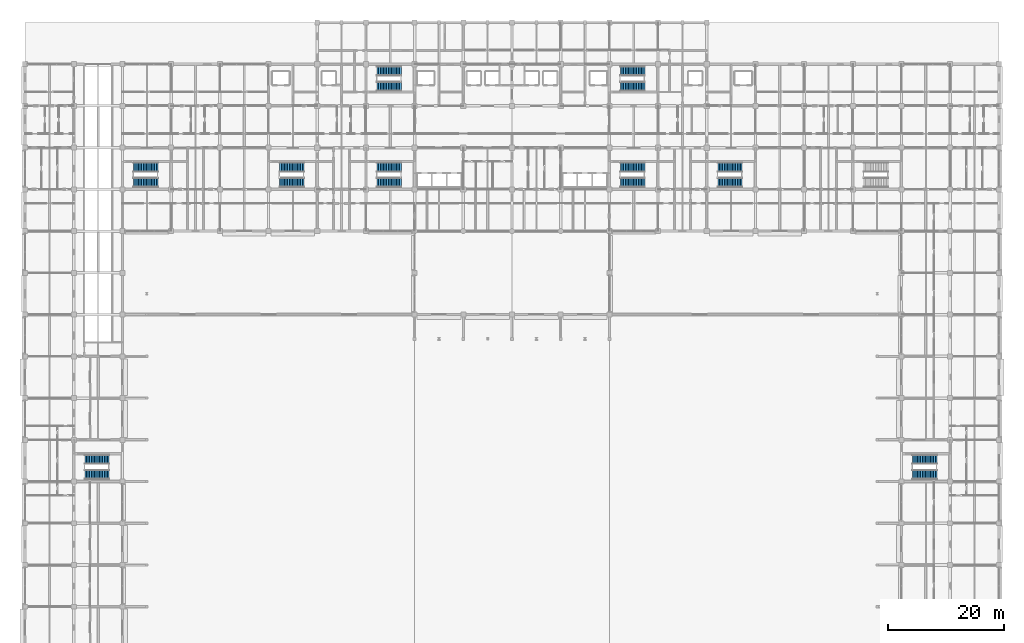
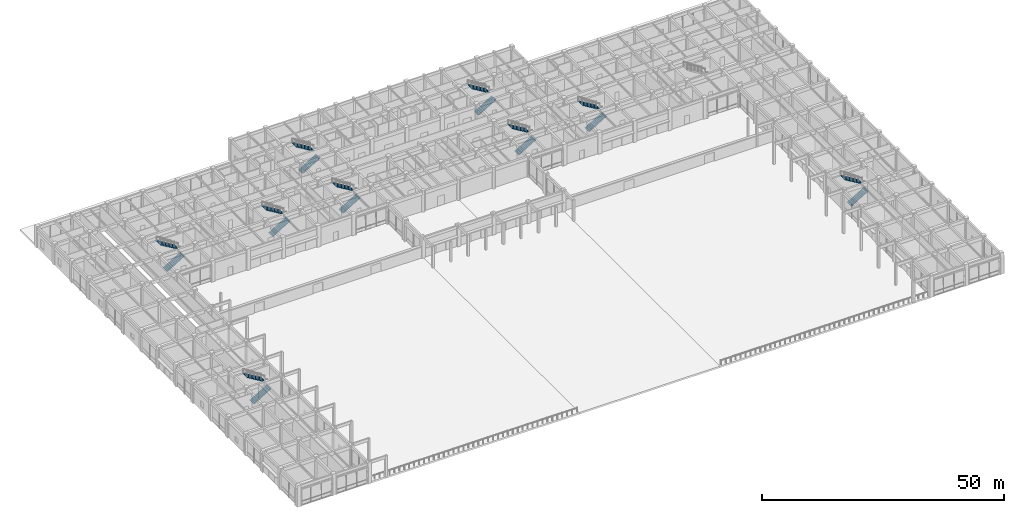
# One storey, part 60 of 73: 18 stair flights, 9 elements without a shape of their own.
"""IFC4 building model written with IfcOpenShell, lengths in metres."""

import ifcopenshell
import ifcopenshell.guid

model = None  # the IFC model being written
_history = None  # IfcOwnerHistory: only IFC2X3 demands one
_inside = {}  # id of a spatial element -> (the spatial element, [elements in it])
_under = {}  # id of a project, library or spatial element -> (it, [spatial elements below it])
_declared = {}  # id of a project -> (the project, [libraries it declares])
_typed = {}  # id of a type object -> (the type object, [elements of that type])
_made_of = {}  # id of a material, layer set ... -> (it, [elements and type objects made of it])


def new_model(schema):
    """Start an empty IFC model of exactly this schema.

    Asked for "IFC4X3", IfcOpenShell would pick the latest addendum, in which some entities
    have other attributes; the version numbers below select the first issue.
    IFC2X3 requires an IfcOwnerHistory on every rooted entity: one is made here for all.
    """
    global model, _history
    if schema == "IFC4X3":
        model = ifcopenshell.file(schema_version=(4, 3, 0, 0))
    else:
        model = ifcopenshell.file(schema=schema)
    _inside.clear()
    _under.clear()
    _declared.clear()
    _typed.clear()
    _made_of.clear()
    _history = None
    if model.schema == "IFC2X3":
        org = make("IfcOrganization", Name="unknown")
        user = make(
            "IfcPersonAndOrganization",
            ThePerson=make("IfcPerson", FamilyName="unknown"),
            TheOrganization=org,
        )
        app = make(
            "IfcApplication",
            ApplicationDeveloper=org,
            Version="unknown",
            ApplicationFullName="unknown",
            ApplicationIdentifier="unknown",
        )
        _history = make(
            "IfcOwnerHistory",
            OwningUser=user,
            OwningApplication=app,
            ChangeAction="ADDED",
            CreationDate=0,
        )
    return model


def make(cls, **values):
    """One entity of the class cls with the attributes given. An attribute that is None is left unset."""
    return model.create_entity(
        cls, **{name: value for name, value in values.items() if value is not None}
    )


def rooted(cls, **values):
    """An entity with a GlobalId (a new one), such as an element, a storey or a relation."""
    return make(cls, GlobalId=ifcopenshell.guid.new(), OwnerHistory=_history, **values)


def si_unit(unit_type, name, prefix=None):
    """IfcSIUnit, for example si_unit("LENGTHUNIT", "METRE", prefix="MILLI")."""
    return make("IfcSIUnit", UnitType=unit_type, Prefix=prefix, Name=name)


def assignment(units):
    """IfcUnitAssignment: the units of a project."""
    return None if units is None else make("IfcUnitAssignment", Units=units)


def point(xyz):
    """IfcCartesianPoint."""
    return None if xyz is None else make("IfcCartesianPoint", Coordinates=xyz)


def direction(xyz):
    """IfcDirection."""
    return None if xyz is None else make("IfcDirection", DirectionRatios=xyz)


def frame(location, z_axis=None, x_axis=None):
    """IfcAxis2Placement3D, a coordinate frame: its origin and axes. An axis left out is left unset."""
    return make(
        "IfcAxis2Placement3D",
        Location=point(location),
        Axis=direction(z_axis),
        RefDirection=direction(x_axis),
    )


def origin():
    """The frame at (0, 0, 0) with its axes left unset."""
    return frame((0.0, 0.0, 0.0))


def place(relative_to, where):
    """IfcLocalPlacement: puts the frame where relative to a parent placement (None: the world)."""
    return make(
        "IfcLocalPlacement", PlacementRelTo=relative_to, RelativePlacement=where
    )


def context(
    kind, dimensions, precision=None, world=None, true_north=None, identifier=None
):
    """IfcGeometricRepresentationContext, for example the 3D "Model" context."""
    return make(
        "IfcGeometricRepresentationContext",
        ContextIdentifier=identifier,
        ContextType=kind,
        CoordinateSpaceDimension=dimensions,
        Precision=precision,
        WorldCoordinateSystem=world,
        TrueNorth=true_north,
    )


def subcontext(parent, identifier, kind, view, scale=None):
    """IfcGeometricRepresentationSubContext, for example "Body" below "Model"."""
    return make(
        "IfcGeometricRepresentationSubContext",
        ContextIdentifier=identifier,
        ContextType=kind,
        ParentContext=parent,
        TargetScale=scale,
        TargetView=view,
    )


def project(units=None, contexts=None):
    """IfcProject with its units and contexts."""
    return rooted(
        "IfcProject",
        Name="project",
        RepresentationContexts=contexts,
        UnitsInContext=assignment(units),
    )


def spatial(cls, under=None, at=None, **own):
    """A site, building, storey or space (cls), placed at a placement, below another one or the project."""
    s = rooted(cls, ObjectPlacement=at, **own)
    if under is not None:
        _under.setdefault(under.id(), (under, []))[1].append(s)
    return s


def polyline(points):
    """IfcPolyline through the points."""
    return make("IfcPolyline", Points=[point(p) for p in points])


def outline(outer, holes=None, kind="AREA"):
    """IfcArbitraryClosedProfileDef: a profile drawn as a closed curve; with holes, ...WithVoids."""
    if holes is None:
        return make("IfcArbitraryClosedProfileDef", ProfileType=kind, OuterCurve=outer)
    return make(
        "IfcArbitraryProfileDefWithVoids",
        ProfileType=kind,
        OuterCurve=outer,
        InnerCurves=holes,
    )


def extrude(swept, where, along, depth):
    """IfcExtrudedAreaSolid: the profile swept, set in the frame where, extruded along a direction by depth."""
    return make(
        "IfcExtrudedAreaSolid",
        SweptArea=swept,
        Position=where,
        ExtrudedDirection=direction(along),
        Depth=depth,
    )


def shape(context_of_items, identifier, shape_type, items):
    """IfcShapeRepresentation: the items that make up one representation, for example the "Body"."""
    return make(
        "IfcShapeRepresentation",
        ContextOfItems=context_of_items,
        RepresentationIdentifier=identifier,
        RepresentationType=shape_type,
        Items=items,
    )


def material(Name=None, Category=None):
    """IfcMaterial."""
    return make("IfcMaterial", Name=Name, Category=Category)


def made_of(thing, what):
    """Note that an element or type object is made of a material, layer set ...; save() writes the relation."""
    if what is not None:
        _made_of.setdefault(what.id(), (what, []))[1].append(thing)
    return thing


def type_object(cls, material=None, **own):
    """A type object (cls), such as IfcWallType, which elements share."""
    return made_of(rooted(cls, **own), material)


def element(
    cls,
    number,
    at=None,
    inside=None,
    cuts=None,
    type_object=None,
    material=None,
    context=None,
    identifier="Body",
    shape_type=None,
    held_by="IfcProductDefinitionShape",
    body=None,
    shapes=None,
    **own,
):
    """One element of the class cls, such as IfcWall. Its Tag is "e" and its number.

    at: its placement. inside: the storey or other place that contains it. cuts: it is an
    opening in that element (IfcRelVoidsElement). A single representation is given by context,
    identifier, shape_type and body (its items); several are given by shapes. held_by: the class
    of the entity that holds the representations. save() writes the other relations.
    """
    e = rooted(cls, Tag="e%d" % number, ObjectPlacement=at, **own)
    if body is not None:
        shapes = [shape(context, identifier, shape_type, body)]
    if shapes is not None:
        e.Representation = make(held_by, Representations=shapes)
    if inside is not None:
        _inside.setdefault(inside.id(), (inside, []))[1].append(e)
    if cuts is not None:
        rooted(
            "IfcRelVoidsElement", RelatingBuildingElement=cuts, RelatedOpeningElement=e
        )
    if type_object is not None:
        _typed.setdefault(type_object.id(), (type_object, []))[1].append(e)
    return made_of(e, material)


def aggregate(whole, parts):
    """IfcRelAggregates: a whole, such as a stair, and the parts it consists of."""
    return rooted("IfcRelAggregates", RelatingObject=whole, RelatedObjects=parts)


def save(model, path):
    """Write the relations noted so far, then the file.

    IfcRelAggregates (storeys below a building ...), IfcRelContainedInSpatialStructure (elements
    in a storey), IfcRelDefinesByType, IfcRelAssociatesMaterial and IfcRelDeclares: one each for
    every whole, place, type object, material and project.
    """
    for whole, parts in _under.values():
        aggregate(whole, parts)
    for where, things in _inside.values():
        rooted(
            "IfcRelContainedInSpatialStructure",
            RelatedElements=things,
            RelatingStructure=where,
        )
    for kind, things in _typed.values():
        rooted("IfcRelDefinesByType", RelatedObjects=things, RelatingType=kind)
    for what, things in _made_of.values():
        rooted("IfcRelAssociatesMaterial", RelatedObjects=things, RelatingMaterial=what)
    for by, libraries in _declared.values():
        rooted("IfcRelDeclares", RelatingContext=by, RelatedDefinitions=libraries)
    model.write(path)


model = new_model("IFC4")

# Units and contexts
model_context = context("Model", 3, precision=1e-05, world=origin(), true_north=direction((0.0, 1.0)))
body_context = subcontext(model_context, "Body", "Model", "MODEL_VIEW")
ifc_project = project(units=[si_unit("LENGTHUNIT", "METRE"), si_unit("AREAUNIT", "SQUARE_METRE"), si_unit("VOLUMEUNIT", "CUBIC_METRE"), si_unit("PLANEANGLEUNIT", "RADIAN"), si_unit("MASSUNIT", "GRAM", prefix="KILO")], contexts=[model_context])

# Site, building, storey
site_placement = place(None, origin())
site = spatial("IfcSite", under=ifc_project, at=site_placement, CompositionType="ELEMENT")
building_placement = place(site_placement, origin())
building = spatial("IfcBuilding", under=site, at=building_placement, Name="Chengyuan Square Courthouse", CompositionType="ELEMENT")
storey_placement = place(building_placement, origin())
storey = spatial("IfcBuildingStorey", under=building, at=storey_placement, Name="L01", CompositionType="ELEMENT", Elevation=0.0)

# Stair, stair flights
ifc_material = material(Name="Concrete C40", Category="concrete")
stair_type_1 = type_object("IfcStairType", Name="ST-TYPE-01", PredefinedType="HALF_TURN_STAIR", material=ifc_material)
stair_1_placement = place(storey_placement, origin())
stair_1 = element("IfcStair", 1, at=stair_1_placement, inside=storey, type_object=stair_type_1, Name="Smoke-Proof Exit Stair ST-1 (L01 to L02)", PredefinedType="HALF_TURN_STAIR")
stair_flight_type_1 = type_object("IfcStairFlightType", Name="STF-TYPE-01", PredefinedType="STRAIGHT", material=ifc_material)
stair_flight_1_placement = place(storey_placement, frame((60.7099609375, 104.175048828125, 0.0), z_axis=(0.0, 0.0, 1.0), x_axis=(1.0, 0.0, 0.0)))
stair_flight_1 = element("IfcStairFlight", 2, at=stair_flight_1_placement, type_object=stair_flight_type_1, Name="ST-1 flight 1", NumberOfRisers=16, NumberOfTreads=15, PredefinedType="STRAIGHT", RiserHeight=0.16875, TreadLength=0.28, context=body_context, shape_type="SweptSolid", body=[
    extrude(outline(polyline([(0.0, 0.0), (0.0, 0.168701171875), (0.280029296875, 0.168701171875), (0.280029296875, 0.33740234375), (0.56005859375, 0.33740234375), (0.56005859375, 0.50634765625), (0.840087890625, 0.50634765625), (0.840087890625, 0.675048828125), (1.1201171875, 0.675048828125), (1.1201171875, 0.84375), (1.39990234375, 0.84375), (1.39990234375, 1.012451171875), (1.679931640625, 1.012451171875), (1.679931640625, 1.18115234375), (1.9599609375, 1.18115234375), (1.9599609375, 1.35009765625), (2.239990234375, 1.35009765625), (2.239990234375, 1.518798828125), (2.52001953125, 1.518798828125), (2.52001953125, 1.6875), (2.800048828125, 1.6875), (2.800048828125, 1.856201171875), (3.080078125, 1.856201171875), (3.080078125, 2.02490234375), (3.360107421875, 2.02490234375), (3.360107421875, 2.19384765625), (3.639892578125, 2.19384765625), (3.639892578125, 2.362548828125), (3.919921875, 2.362548828125), (3.919921875, 2.53125), (4.199951171875, 2.53125), (4.199951171875, 2.699951171875), (4.199951171875, 2.356201171875), (0.29052734375, 0.0), (0.0, 0.0)])), frame((0.0, 0.824951171875, 0.0), z_axis=(0.0, -1.0, 0.0), x_axis=(1.0, 0.0, 0.0)), (0.0, 0.0, 1.0), 1.64990234375),
])
stair_flight_2_placement = place(storey_placement, frame((64.909912109375, 106.824951171875, 2.699951171875), z_axis=(0.0, 0.0, 1.0), x_axis=(-1.0, 0.0, 0.0)))
stair_flight_2 = element("IfcStairFlight", 3, at=stair_flight_2_placement, type_object=stair_flight_type_1, Name="ST-1 flight 2", NumberOfRisers=16, NumberOfTreads=15, PredefinedType="STRAIGHT", RiserHeight=0.16875, TreadLength=0.28, context=body_context, shape_type="SweptSolid", body=[
    extrude(outline(polyline([(0.0, 0.0), (0.0, 0.168701171875), (0.280029296875, 0.168701171875), (0.280029296875, 0.33740234375), (0.56005859375, 0.33740234375), (0.56005859375, 0.50634765625), (0.840087890625, 0.50634765625), (0.840087890625, 0.675048828125), (1.1201171875, 0.675048828125), (1.1201171875, 0.84375), (1.39990234375, 0.84375), (1.39990234375, 1.012451171875), (1.679931640625, 1.012451171875), (1.679931640625, 1.18115234375), (1.9599609375, 1.18115234375), (1.9599609375, 1.35009765625), (2.239990234375, 1.35009765625), (2.239990234375, 1.518798828125), (2.52001953125, 1.518798828125), (2.52001953125, 1.6875), (2.800048828125, 1.6875), (2.800048828125, 1.856201171875), (3.080078125, 1.856201171875), (3.080078125, 2.02490234375), (3.360107421875, 2.02490234375), (3.360107421875, 2.19384765625), (3.639892578125, 2.19384765625), (3.639892578125, 2.362548828125), (3.919921875, 2.362548828125), (3.919921875, 2.53125), (4.199951171875, 2.53125), (4.199951171875, 2.699951171875), (4.199951171875, 2.356201171875), (0.29052734375, 0.0), (0.0, 0.0)])), frame((0.0, 0.824951171875, 0.0), z_axis=(0.0, -1.0, 0.0), x_axis=(1.0, 0.0, 0.0)), (0.0, 0.0, 1.0), 1.64990234375),
])
aggregate(stair_1, [stair_flight_1, stair_flight_2])

stair_type_2 = type_object("IfcStairType", Name="ST-TYPE-02", PredefinedType="HALF_TURN_STAIR", material=ifc_material)
stair_2_placement = place(storey_placement, origin())
stair_2 = element("IfcStair", 4, at=stair_2_placement, inside=storey, type_object=stair_type_2, Name="Smoke-Proof Exit Stair ST-2 (L01 to L02)", PredefinedType="HALF_TURN_STAIR")
stair_flight_type_2 = type_object("IfcStairFlightType", Name="STF-TYPE-02", PredefinedType="STRAIGHT", material=ifc_material)
stair_flight_3_placement = place(storey_placement, frame((102.7099609375, 104.175048828125, 0.0), z_axis=(0.0, 0.0, 1.0), x_axis=(1.0, 0.0, 0.0)))
stair_flight_3 = element("IfcStairFlight", 5, at=stair_flight_3_placement, type_object=stair_flight_type_2, Name="ST-2 flight 1", NumberOfRisers=16, NumberOfTreads=15, PredefinedType="STRAIGHT", RiserHeight=0.16875, TreadLength=0.28, context=body_context, shape_type="SweptSolid", body=[
    extrude(outline(polyline([(0.0, 0.0), (0.0, 0.168701171875), (0.280029296875, 0.168701171875), (0.280029296875, 0.33740234375), (0.56005859375, 0.33740234375), (0.56005859375, 0.50634765625), (0.840087890625, 0.50634765625), (0.840087890625, 0.675048828125), (1.1201171875, 0.675048828125), (1.1201171875, 0.84375), (1.39990234375, 0.84375), (1.39990234375, 1.012451171875), (1.679931640625, 1.012451171875), (1.679931640625, 1.18115234375), (1.9599609375, 1.18115234375), (1.9599609375, 1.35009765625), (2.239990234375, 1.35009765625), (2.239990234375, 1.518798828125), (2.52001953125, 1.518798828125), (2.52001953125, 1.6875), (2.800048828125, 1.6875), (2.800048828125, 1.856201171875), (3.080078125, 1.856201171875), (3.080078125, 2.02490234375), (3.360107421875, 2.02490234375), (3.360107421875, 2.19384765625), (3.639892578125, 2.19384765625), (3.639892578125, 2.362548828125), (3.919921875, 2.362548828125), (3.919921875, 2.53125), (4.199951171875, 2.53125), (4.199951171875, 2.699951171875), (4.199951171875, 2.356201171875), (0.29052734375, 0.0), (0.0, 0.0)])), frame((0.0, 0.824951171875, 0.0), z_axis=(0.0, -1.0, 0.0), x_axis=(1.0, 0.0, 0.0)), (0.0, 0.0, 1.0), 1.64990234375),
])
stair_flight_4_placement = place(storey_placement, frame((106.909912109375, 106.824951171875, 2.699951171875), z_axis=(0.0, 0.0, 1.0), x_axis=(-1.0, 0.0, 0.0)))
stair_flight_4 = element("IfcStairFlight", 6, at=stair_flight_4_placement, type_object=stair_flight_type_2, Name="ST-2 flight 2", NumberOfRisers=16, NumberOfTreads=15, PredefinedType="STRAIGHT", RiserHeight=0.16875, TreadLength=0.28, context=body_context, shape_type="SweptSolid", body=[
    extrude(outline(polyline([(0.0, 0.0), (0.0, 0.168701171875), (0.280029296875, 0.168701171875), (0.280029296875, 0.33740234375), (0.56005859375, 0.33740234375), (0.56005859375, 0.50634765625), (0.840087890625, 0.50634765625), (0.840087890625, 0.675048828125), (1.1201171875, 0.675048828125), (1.1201171875, 0.84375), (1.39990234375, 0.84375), (1.39990234375, 1.012451171875), (1.679931640625, 1.012451171875), (1.679931640625, 1.18115234375), (1.9599609375, 1.18115234375), (1.9599609375, 1.35009765625), (2.239990234375, 1.35009765625), (2.239990234375, 1.518798828125), (2.52001953125, 1.518798828125), (2.52001953125, 1.6875), (2.800048828125, 1.6875), (2.800048828125, 1.856201171875), (3.080078125, 1.856201171875), (3.080078125, 2.02490234375), (3.360107421875, 2.02490234375), (3.360107421875, 2.19384765625), (3.639892578125, 2.19384765625), (3.639892578125, 2.362548828125), (3.919921875, 2.362548828125), (3.919921875, 2.53125), (4.199951171875, 2.53125), (4.199951171875, 2.699951171875), (4.199951171875, 2.356201171875), (0.29052734375, 0.0), (0.0, 0.0)])), frame((0.0, 0.824951171875, 0.0), z_axis=(0.0, -1.0, 0.0), x_axis=(1.0, 0.0, 0.0)), (0.0, 0.0, 1.0), 1.64990234375),
])
aggregate(stair_2, [stair_flight_3, stair_flight_4])

stair_type_3 = type_object("IfcStairType", Name="ST-TYPE-03", PredefinedType="HALF_TURN_STAIR", material=ifc_material)
stair_3_placement = place(storey_placement, origin())
stair_3 = element("IfcStair", 7, at=stair_3_placement, inside=storey, type_object=stair_type_3, Name="Smoke-Proof Exit Stair ST-3 (L01 to L02)", PredefinedType="HALF_TURN_STAIR")
stair_flight_type_3 = type_object("IfcStairFlightType", Name="STF-TYPE-03", PredefinedType="STRAIGHT", material=ifc_material)
stair_flight_5_placement = place(storey_placement, frame((60.7099609375, 87.574951171875, 0.0), z_axis=(0.0, 0.0, 1.0), x_axis=(1.0, 0.0, 0.0)))
stair_flight_5 = element("IfcStairFlight", 8, at=stair_flight_5_placement, type_object=stair_flight_type_3, Name="ST-3 flight 1", NumberOfRisers=16, NumberOfTreads=15, PredefinedType="STRAIGHT", RiserHeight=0.16875, TreadLength=0.28, context=body_context, shape_type="SweptSolid", body=[
    extrude(outline(polyline([(0.0, 0.0), (0.0, 0.168701171875), (0.280029296875, 0.168701171875), (0.280029296875, 0.33740234375), (0.56005859375, 0.33740234375), (0.56005859375, 0.50634765625), (0.840087890625, 0.50634765625), (0.840087890625, 0.675048828125), (1.1201171875, 0.675048828125), (1.1201171875, 0.84375), (1.39990234375, 0.84375), (1.39990234375, 1.012451171875), (1.679931640625, 1.012451171875), (1.679931640625, 1.18115234375), (1.9599609375, 1.18115234375), (1.9599609375, 1.35009765625), (2.239990234375, 1.35009765625), (2.239990234375, 1.518798828125), (2.52001953125, 1.518798828125), (2.52001953125, 1.6875), (2.800048828125, 1.6875), (2.800048828125, 1.856201171875), (3.080078125, 1.856201171875), (3.080078125, 2.02490234375), (3.360107421875, 2.02490234375), (3.360107421875, 2.19384765625), (3.639892578125, 2.19384765625), (3.639892578125, 2.362548828125), (3.919921875, 2.362548828125), (3.919921875, 2.53125), (4.199951171875, 2.53125), (4.199951171875, 2.699951171875), (4.199951171875, 2.356201171875), (0.29052734375, 0.0), (0.0, 0.0)])), frame((0.0, 0.824951171875, 0.0), z_axis=(0.0, -1.0, 0.0), x_axis=(1.0, 0.0, 0.0)), (0.0, 0.0, 1.0), 1.64990234375),
])
stair_flight_6_placement = place(storey_placement, frame((64.909912109375, 90.22509765625, 2.699951171875), z_axis=(0.0, 0.0, 1.0), x_axis=(-1.0, 0.0, 0.0)))
stair_flight_6 = element("IfcStairFlight", 9, at=stair_flight_6_placement, type_object=stair_flight_type_3, Name="ST-3 flight 2", NumberOfRisers=16, NumberOfTreads=15, PredefinedType="STRAIGHT", RiserHeight=0.16875, TreadLength=0.28, context=body_context, shape_type="SweptSolid", body=[
    extrude(outline(polyline([(0.0, 0.0), (0.0, 0.168701171875), (0.280029296875, 0.168701171875), (0.280029296875, 0.33740234375), (0.56005859375, 0.33740234375), (0.56005859375, 0.50634765625), (0.840087890625, 0.50634765625), (0.840087890625, 0.675048828125), (1.1201171875, 0.675048828125), (1.1201171875, 0.84375), (1.39990234375, 0.84375), (1.39990234375, 1.012451171875), (1.679931640625, 1.012451171875), (1.679931640625, 1.18115234375), (1.9599609375, 1.18115234375), (1.9599609375, 1.35009765625), (2.239990234375, 1.35009765625), (2.239990234375, 1.518798828125), (2.52001953125, 1.518798828125), (2.52001953125, 1.6875), (2.800048828125, 1.6875), (2.800048828125, 1.856201171875), (3.080078125, 1.856201171875), (3.080078125, 2.02490234375), (3.360107421875, 2.02490234375), (3.360107421875, 2.19384765625), (3.639892578125, 2.19384765625), (3.639892578125, 2.362548828125), (3.919921875, 2.362548828125), (3.919921875, 2.53125), (4.199951171875, 2.53125), (4.199951171875, 2.699951171875), (4.199951171875, 2.356201171875), (0.29052734375, 0.0), (0.0, 0.0)])), frame((0.0, 0.824951171875, 0.0), z_axis=(0.0, -1.0, 0.0), x_axis=(1.0, 0.0, 0.0)), (0.0, 0.0, 1.0), 1.64990234375),
])
aggregate(stair_3, [stair_flight_5, stair_flight_6])

stair_type_4 = type_object("IfcStairType", Name="ST-TYPE-04", PredefinedType="HALF_TURN_STAIR", material=ifc_material)
stair_4_placement = place(storey_placement, origin())
stair_4 = element("IfcStair", 10, at=stair_4_placement, inside=storey, type_object=stair_type_4, Name="Smoke-Proof Exit Stair ST-4 (L01 to L02)", PredefinedType="HALF_TURN_STAIR")
stair_flight_type_4 = type_object("IfcStairFlightType", Name="STF-TYPE-04", PredefinedType="STRAIGHT", material=ifc_material)
stair_flight_7_placement = place(storey_placement, frame((102.7099609375, 87.574951171875, 0.0), z_axis=(0.0, 0.0, 1.0), x_axis=(1.0, 0.0, 0.0)))
stair_flight_7 = element("IfcStairFlight", 11, at=stair_flight_7_placement, type_object=stair_flight_type_4, Name="ST-4 flight 1", NumberOfRisers=16, NumberOfTreads=15, PredefinedType="STRAIGHT", RiserHeight=0.16875, TreadLength=0.28, context=body_context, shape_type="SweptSolid", body=[
    extrude(outline(polyline([(0.0, 0.0), (0.0, 0.168701171875), (0.280029296875, 0.168701171875), (0.280029296875, 0.33740234375), (0.56005859375, 0.33740234375), (0.56005859375, 0.50634765625), (0.840087890625, 0.50634765625), (0.840087890625, 0.675048828125), (1.1201171875, 0.675048828125), (1.1201171875, 0.84375), (1.39990234375, 0.84375), (1.39990234375, 1.012451171875), (1.679931640625, 1.012451171875), (1.679931640625, 1.18115234375), (1.9599609375, 1.18115234375), (1.9599609375, 1.35009765625), (2.239990234375, 1.35009765625), (2.239990234375, 1.518798828125), (2.52001953125, 1.518798828125), (2.52001953125, 1.6875), (2.800048828125, 1.6875), (2.800048828125, 1.856201171875), (3.080078125, 1.856201171875), (3.080078125, 2.02490234375), (3.360107421875, 2.02490234375), (3.360107421875, 2.19384765625), (3.639892578125, 2.19384765625), (3.639892578125, 2.362548828125), (3.919921875, 2.362548828125), (3.919921875, 2.53125), (4.199951171875, 2.53125), (4.199951171875, 2.699951171875), (4.199951171875, 2.356201171875), (0.29052734375, 0.0), (0.0, 0.0)])), frame((0.0, 0.824951171875, 0.0), z_axis=(0.0, -1.0, 0.0), x_axis=(1.0, 0.0, 0.0)), (0.0, 0.0, 1.0), 1.64990234375),
])
stair_flight_8_placement = place(storey_placement, frame((106.909912109375, 90.22509765625, 2.699951171875), z_axis=(0.0, 0.0, 1.0), x_axis=(-1.0, 0.0, 0.0)))
stair_flight_8 = element("IfcStairFlight", 12, at=stair_flight_8_placement, type_object=stair_flight_type_4, Name="ST-4 flight 2", NumberOfRisers=16, NumberOfTreads=15, PredefinedType="STRAIGHT", RiserHeight=0.16875, TreadLength=0.28, context=body_context, shape_type="SweptSolid", body=[
    extrude(outline(polyline([(0.0, 0.0), (0.0, 0.168701171875), (0.280029296875, 0.168701171875), (0.280029296875, 0.33740234375), (0.56005859375, 0.33740234375), (0.56005859375, 0.50634765625), (0.840087890625, 0.50634765625), (0.840087890625, 0.675048828125), (1.1201171875, 0.675048828125), (1.1201171875, 0.84375), (1.39990234375, 0.84375), (1.39990234375, 1.012451171875), (1.679931640625, 1.012451171875), (1.679931640625, 1.18115234375), (1.9599609375, 1.18115234375), (1.9599609375, 1.35009765625), (2.239990234375, 1.35009765625), (2.239990234375, 1.518798828125), (2.52001953125, 1.518798828125), (2.52001953125, 1.6875), (2.800048828125, 1.6875), (2.800048828125, 1.856201171875), (3.080078125, 1.856201171875), (3.080078125, 2.02490234375), (3.360107421875, 2.02490234375), (3.360107421875, 2.19384765625), (3.639892578125, 2.19384765625), (3.639892578125, 2.362548828125), (3.919921875, 2.362548828125), (3.919921875, 2.53125), (4.199951171875, 2.53125), (4.199951171875, 2.699951171875), (4.199951171875, 2.356201171875), (0.29052734375, 0.0), (0.0, 0.0)])), frame((0.0, 0.824951171875, 0.0), z_axis=(0.0, -1.0, 0.0), x_axis=(1.0, 0.0, 0.0)), (0.0, 0.0, 1.0), 1.64990234375),
])
aggregate(stair_4, [stair_flight_7, stair_flight_8])

stair_type_5 = type_object("IfcStairType", Name="ST-TYPE-05", PredefinedType="HALF_TURN_STAIR", material=ifc_material)
stair_5_placement = place(storey_placement, origin())
stair_5 = element("IfcStair", 13, at=stair_5_placement, inside=storey, type_object=stair_type_5, Name="Smoke-Proof Exit Stair ST-5 (L01 to L02)", PredefinedType="HALF_TURN_STAIR")
stair_flight_type_5 = type_object("IfcStairFlightType", Name="STF-TYPE-05", PredefinedType="STRAIGHT", material=ifc_material)
stair_flight_9_placement = place(storey_placement, frame((43.909912109375, 87.574951171875, 0.0), z_axis=(0.0, 0.0, 1.0), x_axis=(1.0, 0.0, 0.0)))
stair_flight_9 = element("IfcStairFlight", 14, at=stair_flight_9_placement, type_object=stair_flight_type_5, Name="ST-5 flight 1", NumberOfRisers=16, NumberOfTreads=15, PredefinedType="STRAIGHT", RiserHeight=0.16875, TreadLength=0.28, context=body_context, shape_type="SweptSolid", body=[
    extrude(outline(polyline([(0.0, 0.0), (0.0, 0.168701171875), (0.280029296875, 0.168701171875), (0.280029296875, 0.33740234375), (0.56005859375, 0.33740234375), (0.56005859375, 0.50634765625), (0.840087890625, 0.50634765625), (0.840087890625, 0.675048828125), (1.1201171875, 0.675048828125), (1.1201171875, 0.84375), (1.39990234375, 0.84375), (1.39990234375, 1.012451171875), (1.679931640625, 1.012451171875), (1.679931640625, 1.18115234375), (1.9599609375, 1.18115234375), (1.9599609375, 1.35009765625), (2.239990234375, 1.35009765625), (2.239990234375, 1.518798828125), (2.52001953125, 1.518798828125), (2.52001953125, 1.6875), (2.800048828125, 1.6875), (2.800048828125, 1.856201171875), (3.080078125, 1.856201171875), (3.080078125, 2.02490234375), (3.360107421875, 2.02490234375), (3.360107421875, 2.19384765625), (3.639892578125, 2.19384765625), (3.639892578125, 2.362548828125), (3.919921875, 2.362548828125), (3.919921875, 2.53125), (4.199951171875, 2.53125), (4.199951171875, 2.699951171875), (4.199951171875, 2.356201171875), (0.29052734375, 0.0), (0.0, 0.0)])), frame((0.0, 0.824951171875, 0.0), z_axis=(0.0, -1.0, 0.0), x_axis=(1.0, 0.0, 0.0)), (0.0, 0.0, 1.0), 1.64990234375),
])
stair_flight_10_placement = place(storey_placement, frame((48.110107421875, 90.22509765625, 2.699951171875), z_axis=(0.0, 0.0, 1.0), x_axis=(-1.0, 0.0, 0.0)))
stair_flight_10 = element("IfcStairFlight", 15, at=stair_flight_10_placement, type_object=stair_flight_type_5, Name="ST-5 flight 2", NumberOfRisers=16, NumberOfTreads=15, PredefinedType="STRAIGHT", RiserHeight=0.16875, TreadLength=0.28, context=body_context, shape_type="SweptSolid", body=[
    extrude(outline(polyline([(0.0, 0.0), (0.0, 0.168701171875), (0.280029296875, 0.168701171875), (0.280029296875, 0.33740234375), (0.56005859375, 0.33740234375), (0.56005859375, 0.50634765625), (0.840087890625, 0.50634765625), (0.840087890625, 0.675048828125), (1.1201171875, 0.675048828125), (1.1201171875, 0.84375), (1.39990234375, 0.84375), (1.39990234375, 1.012451171875), (1.679931640625, 1.012451171875), (1.679931640625, 1.18115234375), (1.9599609375, 1.18115234375), (1.9599609375, 1.35009765625), (2.239990234375, 1.35009765625), (2.239990234375, 1.518798828125), (2.52001953125, 1.518798828125), (2.52001953125, 1.6875), (2.800048828125, 1.6875), (2.800048828125, 1.856201171875), (3.080078125, 1.856201171875), (3.080078125, 2.02490234375), (3.360107421875, 2.02490234375), (3.360107421875, 2.19384765625), (3.639892578125, 2.19384765625), (3.639892578125, 2.362548828125), (3.919921875, 2.362548828125), (3.919921875, 2.53125), (4.199951171875, 2.53125), (4.199951171875, 2.699951171875), (4.199951171875, 2.356201171875), (0.29052734375, 0.0), (0.0, 0.0)])), frame((0.0, 0.824951171875, 0.0), z_axis=(0.0, -1.0, 0.0), x_axis=(1.0, 0.0, 0.0)), (0.0, 0.0, 1.0), 1.64990234375),
])
aggregate(stair_5, [stair_flight_9, stair_flight_10])

stair_type_6 = type_object("IfcStairType", Name="ST-TYPE-06", PredefinedType="HALF_TURN_STAIR", material=ifc_material)
stair_6_placement = place(storey_placement, origin())
stair_6 = element("IfcStair", 16, at=stair_6_placement, inside=storey, type_object=stair_type_6, Name="Smoke-Proof Exit Stair ST-6 (L01 to L02)", PredefinedType="HALF_TURN_STAIR")
stair_flight_type_6 = type_object("IfcStairFlightType", Name="STF-TYPE-06", PredefinedType="STRAIGHT", material=ifc_material)
stair_flight_11_placement = place(storey_placement, frame((119.510009765625, 87.574951171875, 0.0), z_axis=(0.0, 0.0, 1.0), x_axis=(1.0, 0.0, 0.0)))
stair_flight_11 = element("IfcStairFlight", 17, at=stair_flight_11_placement, type_object=stair_flight_type_6, Name="ST-6 flight 1", NumberOfRisers=16, NumberOfTreads=15, PredefinedType="STRAIGHT", RiserHeight=0.16875, TreadLength=0.28, context=body_context, shape_type="SweptSolid", body=[
    extrude(outline(polyline([(0.0, 0.0), (0.0, 0.168701171875), (0.280029296875, 0.168701171875), (0.280029296875, 0.33740234375), (0.56005859375, 0.33740234375), (0.56005859375, 0.50634765625), (0.840087890625, 0.50634765625), (0.840087890625, 0.675048828125), (1.1201171875, 0.675048828125), (1.1201171875, 0.84375), (1.39990234375, 0.84375), (1.39990234375, 1.012451171875), (1.679931640625, 1.012451171875), (1.679931640625, 1.18115234375), (1.9599609375, 1.18115234375), (1.9599609375, 1.35009765625), (2.239990234375, 1.35009765625), (2.239990234375, 1.518798828125), (2.52001953125, 1.518798828125), (2.52001953125, 1.6875), (2.800048828125, 1.6875), (2.800048828125, 1.856201171875), (3.080078125, 1.856201171875), (3.080078125, 2.02490234375), (3.360107421875, 2.02490234375), (3.360107421875, 2.19384765625), (3.639892578125, 2.19384765625), (3.639892578125, 2.362548828125), (3.919921875, 2.362548828125), (3.919921875, 2.53125), (4.199951171875, 2.53125), (4.199951171875, 2.699951171875), (4.199951171875, 2.356201171875), (0.29052734375, 0.0), (0.0, 0.0)])), frame((0.0, 0.824951171875, 0.0), z_axis=(0.0, -1.0, 0.0), x_axis=(1.0, 0.0, 0.0)), (0.0, 0.0, 1.0), 1.64990234375),
])
stair_flight_12_placement = place(storey_placement, frame((123.7099609375, 90.22509765625, 2.699951171875), z_axis=(0.0, 0.0, 1.0), x_axis=(-1.0, 0.0, 0.0)))
stair_flight_12 = element("IfcStairFlight", 18, at=stair_flight_12_placement, type_object=stair_flight_type_6, Name="ST-6 flight 2", NumberOfRisers=16, NumberOfTreads=15, PredefinedType="STRAIGHT", RiserHeight=0.16875, TreadLength=0.28, context=body_context, shape_type="SweptSolid", body=[
    extrude(outline(polyline([(0.0, 0.0), (0.0, 0.168701171875), (0.280029296875, 0.168701171875), (0.280029296875, 0.33740234375), (0.56005859375, 0.33740234375), (0.56005859375, 0.50634765625), (0.840087890625, 0.50634765625), (0.840087890625, 0.675048828125), (1.1201171875, 0.675048828125), (1.1201171875, 0.84375), (1.39990234375, 0.84375), (1.39990234375, 1.012451171875), (1.679931640625, 1.012451171875), (1.679931640625, 1.18115234375), (1.9599609375, 1.18115234375), (1.9599609375, 1.35009765625), (2.239990234375, 1.35009765625), (2.239990234375, 1.518798828125), (2.52001953125, 1.518798828125), (2.52001953125, 1.6875), (2.800048828125, 1.6875), (2.800048828125, 1.856201171875), (3.080078125, 1.856201171875), (3.080078125, 2.02490234375), (3.360107421875, 2.02490234375), (3.360107421875, 2.19384765625), (3.639892578125, 2.19384765625), (3.639892578125, 2.362548828125), (3.919921875, 2.362548828125), (3.919921875, 2.53125), (4.199951171875, 2.53125), (4.199951171875, 2.699951171875), (4.199951171875, 2.356201171875), (0.29052734375, 0.0), (0.0, 0.0)])), frame((0.0, 0.824951171875, 0.0), z_axis=(0.0, -1.0, 0.0), x_axis=(1.0, 0.0, 0.0)), (0.0, 0.0, 1.0), 1.64990234375),
])
aggregate(stair_6, [stair_flight_11, stair_flight_12])

stair_type_7 = type_object("IfcStairType", Name="ST-TYPE-07", PredefinedType="HALF_TURN_STAIR", material=ifc_material)
stair_7_placement = place(storey_placement, origin())
stair_7 = element("IfcStair", 19, at=stair_7_placement, inside=storey, type_object=stair_type_7, Name="Smoke-Proof Exit Stair ST-7 (L01 to L02)", PredefinedType="HALF_TURN_STAIR")
stair_flight_type_7 = type_object("IfcStairFlightType", Name="STF-TYPE-07", PredefinedType="STRAIGHT", material=ifc_material)
stair_flight_13_placement = place(storey_placement, frame((10.31005859375, 37.175048828125, 0.0), z_axis=(0.0, 0.0, 1.0), x_axis=(1.0, 0.0, 0.0)))
stair_flight_13 = element("IfcStairFlight", 20, at=stair_flight_13_placement, type_object=stair_flight_type_7, Name="ST-7 flight 1", NumberOfRisers=16, NumberOfTreads=15, PredefinedType="STRAIGHT", RiserHeight=0.16875, TreadLength=0.28, context=body_context, shape_type="SweptSolid", body=[
    extrude(outline(polyline([(0.0, 0.0), (0.0, 0.168701171875), (0.280029296875, 0.168701171875), (0.280029296875, 0.33740234375), (0.56005859375, 0.33740234375), (0.56005859375, 0.50634765625), (0.840087890625, 0.50634765625), (0.840087890625, 0.675048828125), (1.1201171875, 0.675048828125), (1.1201171875, 0.84375), (1.39990234375, 0.84375), (1.39990234375, 1.012451171875), (1.679931640625, 1.012451171875), (1.679931640625, 1.18115234375), (1.9599609375, 1.18115234375), (1.9599609375, 1.35009765625), (2.239990234375, 1.35009765625), (2.239990234375, 1.518798828125), (2.52001953125, 1.518798828125), (2.52001953125, 1.6875), (2.800048828125, 1.6875), (2.800048828125, 1.856201171875), (3.080078125, 1.856201171875), (3.080078125, 2.02490234375), (3.360107421875, 2.02490234375), (3.360107421875, 2.19384765625), (3.639892578125, 2.19384765625), (3.639892578125, 2.362548828125), (3.919921875, 2.362548828125), (3.919921875, 2.53125), (4.199951171875, 2.53125), (4.199951171875, 2.699951171875), (4.199951171875, 2.356201171875), (0.29052734375, 0.0), (0.0, 0.0)])), frame((0.0, 0.824951171875, 0.0), z_axis=(0.0, -1.0, 0.0), x_axis=(1.0, 0.0, 0.0)), (0.0, 0.0, 1.0), 1.64990234375),
])
stair_flight_14_placement = place(storey_placement, frame((14.510009765625, 39.824951171875, 2.699951171875), z_axis=(0.0, 0.0, 1.0), x_axis=(-1.0, 0.0, 0.0)))
stair_flight_14 = element("IfcStairFlight", 21, at=stair_flight_14_placement, type_object=stair_flight_type_7, Name="ST-7 flight 2", NumberOfRisers=16, NumberOfTreads=15, PredefinedType="STRAIGHT", RiserHeight=0.16875, TreadLength=0.28, context=body_context, shape_type="SweptSolid", body=[
    extrude(outline(polyline([(0.0, 0.0), (0.0, 0.168701171875), (0.280029296875, 0.168701171875), (0.280029296875, 0.33740234375), (0.56005859375, 0.33740234375), (0.56005859375, 0.50634765625), (0.840087890625, 0.50634765625), (0.840087890625, 0.675048828125), (1.1201171875, 0.675048828125), (1.1201171875, 0.84375), (1.39990234375, 0.84375), (1.39990234375, 1.012451171875), (1.679931640625, 1.012451171875), (1.679931640625, 1.18115234375), (1.9599609375, 1.18115234375), (1.9599609375, 1.35009765625), (2.239990234375, 1.35009765625), (2.239990234375, 1.518798828125), (2.52001953125, 1.518798828125), (2.52001953125, 1.6875), (2.800048828125, 1.6875), (2.800048828125, 1.856201171875), (3.080078125, 1.856201171875), (3.080078125, 2.02490234375), (3.360107421875, 2.02490234375), (3.360107421875, 2.19384765625), (3.639892578125, 2.19384765625), (3.639892578125, 2.362548828125), (3.919921875, 2.362548828125), (3.919921875, 2.53125), (4.199951171875, 2.53125), (4.199951171875, 2.699951171875), (4.199951171875, 2.356201171875), (0.29052734375, 0.0), (0.0, 0.0)])), frame((0.0, 0.824951171875, 0.0), z_axis=(0.0, -1.0, 0.0), x_axis=(1.0, 0.0, 0.0)), (0.0, 0.0, 1.0), 1.64990234375),
])
aggregate(stair_7, [stair_flight_13, stair_flight_14])

stair_type_8 = type_object("IfcStairType", Name="ST-TYPE-08", PredefinedType="HALF_TURN_STAIR", material=ifc_material)
stair_8_placement = place(storey_placement, origin())
stair_8 = element("IfcStair", 22, at=stair_8_placement, inside=storey, type_object=stair_type_8, Name="Smoke-Proof Exit Stair ST-8 (L01 to L02)", PredefinedType="HALF_TURN_STAIR")
stair_flight_type_8 = type_object("IfcStairFlightType", Name="STF-TYPE-08", PredefinedType="STRAIGHT", material=ifc_material)
stair_flight_15_placement = place(storey_placement, frame((153.110107421875, 37.175048828125, 0.0), z_axis=(0.0, 0.0, 1.0), x_axis=(1.0, 0.0, 0.0)))
stair_flight_15 = element("IfcStairFlight", 23, at=stair_flight_15_placement, type_object=stair_flight_type_8, Name="ST-8 flight 1", NumberOfRisers=16, NumberOfTreads=15, PredefinedType="STRAIGHT", RiserHeight=0.16875, TreadLength=0.28, context=body_context, shape_type="SweptSolid", body=[
    extrude(outline(polyline([(0.0, 0.0), (0.0, 0.168701171875), (0.280029296875, 0.168701171875), (0.280029296875, 0.33740234375), (0.56005859375, 0.33740234375), (0.56005859375, 0.50634765625), (0.840087890625, 0.50634765625), (0.840087890625, 0.675048828125), (1.1201171875, 0.675048828125), (1.1201171875, 0.84375), (1.39990234375, 0.84375), (1.39990234375, 1.012451171875), (1.679931640625, 1.012451171875), (1.679931640625, 1.18115234375), (1.9599609375, 1.18115234375), (1.9599609375, 1.35009765625), (2.239990234375, 1.35009765625), (2.239990234375, 1.518798828125), (2.52001953125, 1.518798828125), (2.52001953125, 1.6875), (2.800048828125, 1.6875), (2.800048828125, 1.856201171875), (3.080078125, 1.856201171875), (3.080078125, 2.02490234375), (3.360107421875, 2.02490234375), (3.360107421875, 2.19384765625), (3.639892578125, 2.19384765625), (3.639892578125, 2.362548828125), (3.919921875, 2.362548828125), (3.919921875, 2.53125), (4.199951171875, 2.53125), (4.199951171875, 2.699951171875), (4.199951171875, 2.356201171875), (0.29052734375, 0.0), (0.0, 0.0)])), frame((0.0, 0.824951171875, 0.0), z_axis=(0.0, -1.0, 0.0), x_axis=(1.0, 0.0, 0.0)), (0.0, 0.0, 1.0), 1.64990234375),
])
stair_flight_16_placement = place(storey_placement, frame((157.31005859375, 39.824951171875, 2.699951171875), z_axis=(0.0, 0.0, 1.0), x_axis=(-1.0, 0.0, 0.0)))
stair_flight_16 = element("IfcStairFlight", 24, at=stair_flight_16_placement, type_object=stair_flight_type_8, Name="ST-8 flight 2", NumberOfRisers=16, NumberOfTreads=15, PredefinedType="STRAIGHT", RiserHeight=0.16875, TreadLength=0.28, context=body_context, shape_type="SweptSolid", body=[
    extrude(outline(polyline([(0.0, 0.0), (0.0, 0.168701171875), (0.280029296875, 0.168701171875), (0.280029296875, 0.33740234375), (0.56005859375, 0.33740234375), (0.56005859375, 0.50634765625), (0.840087890625, 0.50634765625), (0.840087890625, 0.675048828125), (1.1201171875, 0.675048828125), (1.1201171875, 0.84375), (1.39990234375, 0.84375), (1.39990234375, 1.012451171875), (1.679931640625, 1.012451171875), (1.679931640625, 1.18115234375), (1.9599609375, 1.18115234375), (1.9599609375, 1.35009765625), (2.239990234375, 1.35009765625), (2.239990234375, 1.518798828125), (2.52001953125, 1.518798828125), (2.52001953125, 1.6875), (2.800048828125, 1.6875), (2.800048828125, 1.856201171875), (3.080078125, 1.856201171875), (3.080078125, 2.02490234375), (3.360107421875, 2.02490234375), (3.360107421875, 2.19384765625), (3.639892578125, 2.19384765625), (3.639892578125, 2.362548828125), (3.919921875, 2.362548828125), (3.919921875, 2.53125), (4.199951171875, 2.53125), (4.199951171875, 2.699951171875), (4.199951171875, 2.356201171875), (0.29052734375, 0.0), (0.0, 0.0)])), frame((0.0, 0.824951171875, 0.0), z_axis=(0.0, -1.0, 0.0), x_axis=(1.0, 0.0, 0.0)), (0.0, 0.0, 1.0), 1.64990234375),
])
aggregate(stair_8, [stair_flight_15, stair_flight_16])

stair_type_9 = type_object("IfcStairType", Name="ST-TYPE-09", PredefinedType="HALF_TURN_STAIR", material=ifc_material)
stair_9_placement = place(storey_placement, origin())
stair_9 = element("IfcStair", 25, at=stair_9_placement, inside=storey, type_object=stair_type_9, Name="Smoke-Proof Exit Stair ST-9 (L01 to L02)", PredefinedType="HALF_TURN_STAIR")
stair_flight_type_9 = type_object("IfcStairFlightType", Name="STF-TYPE-09", PredefinedType="STRAIGHT", material=ifc_material)
stair_flight_17_placement = place(storey_placement, frame((18.7099609375, 87.574951171875, 0.0), z_axis=(0.0, 0.0, 1.0), x_axis=(1.0, 0.0, 0.0)))
stair_flight_17 = element("IfcStairFlight", 26, at=stair_flight_17_placement, type_object=stair_flight_type_9, Name="ST-9 flight 1", NumberOfRisers=16, NumberOfTreads=15, PredefinedType="STRAIGHT", RiserHeight=0.16875, TreadLength=0.28, context=body_context, shape_type="SweptSolid", body=[
    extrude(outline(polyline([(0.0, 0.0), (0.0, 0.168701171875), (0.280029296875, 0.168701171875), (0.280029296875, 0.33740234375), (0.56005859375, 0.33740234375), (0.56005859375, 0.50634765625), (0.840087890625, 0.50634765625), (0.840087890625, 0.675048828125), (1.1201171875, 0.675048828125), (1.1201171875, 0.84375), (1.39990234375, 0.84375), (1.39990234375, 1.012451171875), (1.679931640625, 1.012451171875), (1.679931640625, 1.18115234375), (1.9599609375, 1.18115234375), (1.9599609375, 1.35009765625), (2.239990234375, 1.35009765625), (2.239990234375, 1.518798828125), (2.52001953125, 1.518798828125), (2.52001953125, 1.6875), (2.800048828125, 1.6875), (2.800048828125, 1.856201171875), (3.080078125, 1.856201171875), (3.080078125, 2.02490234375), (3.360107421875, 2.02490234375), (3.360107421875, 2.19384765625), (3.639892578125, 2.19384765625), (3.639892578125, 2.362548828125), (3.919921875, 2.362548828125), (3.919921875, 2.53125), (4.199951171875, 2.53125), (4.199951171875, 2.699951171875), (4.199951171875, 2.356201171875), (0.29052734375, 0.0), (0.0, 0.0)])), frame((0.0, 0.824951171875, 0.0), z_axis=(0.0, -1.0, 0.0), x_axis=(1.0, 0.0, 0.0)), (0.0, 0.0, 1.0), 1.64990234375),
])
stair_flight_18_placement = place(storey_placement, frame((22.909912109375, 90.22509765625, 2.699951171875), z_axis=(0.0, 0.0, 1.0), x_axis=(-1.0, 0.0, 0.0)))
stair_flight_18 = element("IfcStairFlight", 27, at=stair_flight_18_placement, type_object=stair_flight_type_9, Name="ST-9 flight 2", NumberOfRisers=16, NumberOfTreads=15, PredefinedType="STRAIGHT", RiserHeight=0.16875, TreadLength=0.28, context=body_context, shape_type="SweptSolid", body=[
    extrude(outline(polyline([(0.0, 0.0), (0.0, 0.168701171875), (0.280029296875, 0.168701171875), (0.280029296875, 0.33740234375), (0.56005859375, 0.33740234375), (0.56005859375, 0.50634765625), (0.840087890625, 0.50634765625), (0.840087890625, 0.675048828125), (1.1201171875, 0.675048828125), (1.1201171875, 0.84375), (1.39990234375, 0.84375), (1.39990234375, 1.012451171875), (1.679931640625, 1.012451171875), (1.679931640625, 1.18115234375), (1.9599609375, 1.18115234375), (1.9599609375, 1.35009765625), (2.239990234375, 1.35009765625), (2.239990234375, 1.518798828125), (2.52001953125, 1.518798828125), (2.52001953125, 1.6875), (2.800048828125, 1.6875), (2.800048828125, 1.856201171875), (3.080078125, 1.856201171875), (3.080078125, 2.02490234375), (3.360107421875, 2.02490234375), (3.360107421875, 2.19384765625), (3.639892578125, 2.19384765625), (3.639892578125, 2.362548828125), (3.919921875, 2.362548828125), (3.919921875, 2.53125), (4.199951171875, 2.53125), (4.199951171875, 2.699951171875), (4.199951171875, 2.356201171875), (0.29052734375, 0.0), (0.0, 0.0)])), frame((0.0, 0.824951171875, 0.0), z_axis=(0.0, -1.0, 0.0), x_axis=(1.0, 0.0, 0.0)), (0.0, 0.0, 1.0), 1.64990234375),
])
aggregate(stair_9, [stair_flight_17, stair_flight_18])

save(model, "model.ifc")
